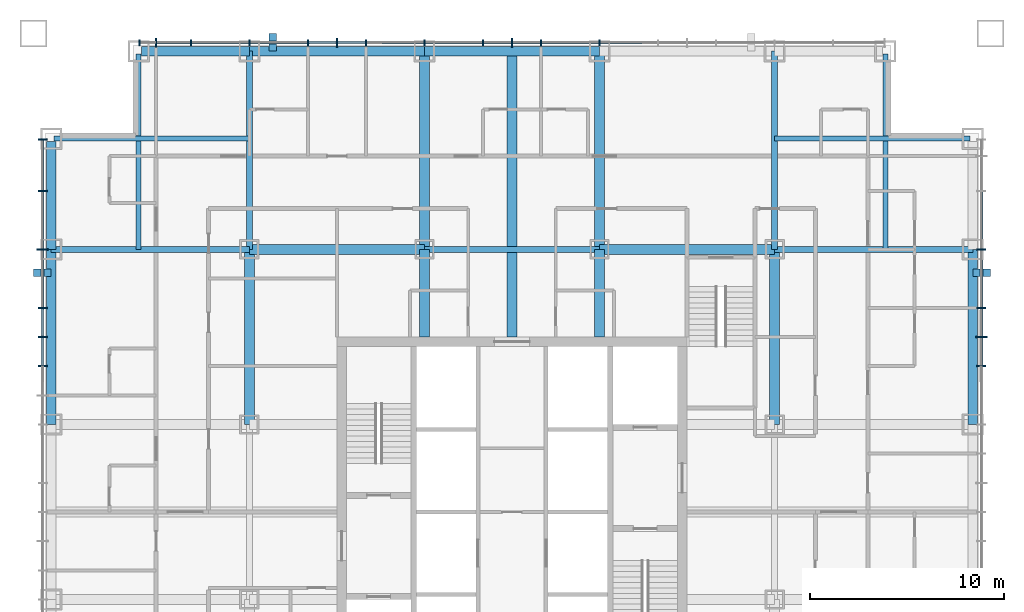
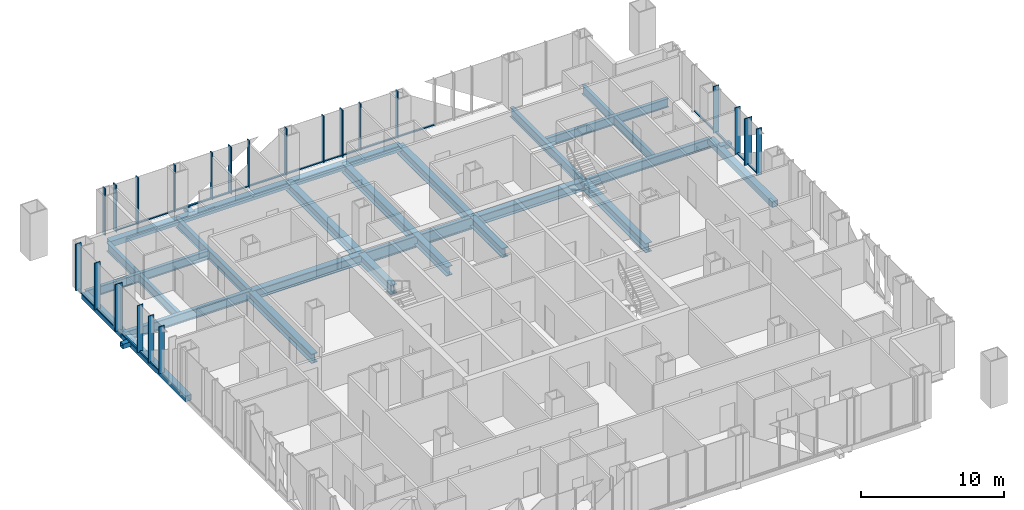
# One storey, part 5 of 14: 45 members, 24 beams, 3 elements without a shape of their own.
"""IFC4 building model written with IfcOpenShell, lengths in metres."""

from ifc_helpers import new_model, si_unit, direction, frame, origin, origin_2d, place, context, subcontext, project, spatial, rectangle, hollow_rectangle, i_section, extrude, material, layer, layer_set, material_profile, profile_set, type_object, element, aggregate, save


model = new_model("IFC4")

# Units and contexts
model_context = context("Model", 3, precision=1e-05, world=origin(), true_north=direction((0.0, 1.0)))
body_context = subcontext(model_context, "Body", "Model", "MODEL_VIEW")
ifc_project = project(units=[si_unit("LENGTHUNIT", "METRE"), si_unit("AREAUNIT", "SQUARE_METRE"), si_unit("VOLUMEUNIT", "CUBIC_METRE"), si_unit("PLANEANGLEUNIT", "RADIAN"), si_unit("MASSUNIT", "GRAM", prefix="KILO")], contexts=[model_context])

# Site, building, storey
site_placement = place(None, origin())
site = spatial("IfcSite", under=ifc_project, at=site_placement, CompositionType="ELEMENT")
building_placement = place(site_placement, origin())
building = spatial("IfcBuilding", under=site, at=building_placement, Name="Malebo Sky Hospital", CompositionType="ELEMENT")
storey_placement = place(building_placement, frame((0.0, 0.0, 148.0)))
storey = spatial("IfcBuildingStorey", under=building, at=storey_placement, Name="L35", CompositionType="ELEMENT", Elevation=148.0)

# Curtain wall, members
ifc_material_1 = material(Name="Anodised aluminium, natural silver", Category="aluminium")
ifc_layer_1 = layer(ifc_material_1, 0.25)
ifc_layer_set_1 = layer_set([ifc_layer_1], Name="WARD CURTAIN WALL NORTH AND SOUTH")
curtain_wall_type_1 = type_object("IfcCurtainWallType", Name="WARD CURTAIN WALL NORTH AND SOUTH", PredefinedType="NOTDEFINED", material=ifc_layer_set_1)
curtain_wall_1_placement = place(storey_placement, origin())
curtain_wall_1 = element("IfcCurtainWall", 1, at=curtain_wall_1_placement, inside=storey, type_object=curtain_wall_type_1, Name="NS curtain wall N", PredefinedType="NOTDEFINED")
ifc_material_profile_1 = material_profile(ifc_material_1, rectangle(XDim=0.14990234375, YDim=0.10009765625, at=origin_2d()), Name="ALUMINIUM TRANSOM 150x100")
ifc_profile_set_1 = profile_set([ifc_material_profile_1], Name="Anodised aluminium, natural silver")
member_type_1 = type_object("IfcMemberType", Name="ALUMINIUM TRANSOM 150x100", PredefinedType="USERDEFINED", material=ifc_profile_set_1)
member_1_placement = place(storey_placement, frame((41.737548828125, 86.135009765625, 0.050048828125), z_axis=(1.0, 0.0, 0.0), x_axis=(0.0, 1.0, 0.0)))
member_1 = element("IfcMember", 2, at=member_1_placement, type_object=member_type_1, Name="Transom 2", ObjectType="TRANSOM", PredefinedType="USERDEFINED", context=body_context, shape_type="SweptSolid", body=[
    extrude(rectangle(XDim=0.14990234375, YDim=0.10009765625, at=origin_2d()), origin(), (0.0, 0.0, 1.0), 1.724853515625),
])
member_2_placement = place(storey_placement, frame((43.53759765625, 86.135009765625, 0.050048828125), z_axis=(1.0, 0.0, 0.0), x_axis=(0.0, 1.0, 0.0)))
member_2 = element("IfcMember", 3, at=member_2_placement, type_object=member_type_1, Name="Transom 3", ObjectType="TRANSOM", PredefinedType="USERDEFINED", context=body_context, shape_type="SweptSolid", body=[
    extrude(rectangle(XDim=0.14990234375, YDim=0.10009765625, at=origin_2d()), origin(), (0.0, 0.0, 1.0), 2.9248046875),
])
member_3_placement = place(storey_placement, frame((46.53759765625, 86.135009765625, 0.050048828125), z_axis=(1.0, 0.0, 0.0), x_axis=(0.0, 1.0, 0.0)))
member_3 = element("IfcMember", 4, at=member_3_placement, type_object=member_type_1, Name="Transom 4", ObjectType="TRANSOM", PredefinedType="USERDEFINED", context=body_context, shape_type="SweptSolid", body=[
    extrude(rectangle(XDim=0.14990234375, YDim=0.10009765625, at=origin_2d()), origin(), (0.0, 0.0, 1.0), 2.9248046875),
])
member_4_placement = place(storey_placement, frame((49.53759765625, 86.135009765625, 0.050048828125), z_axis=(1.0, 0.0, 0.0), x_axis=(0.0, 1.0, 0.0)))
member_4 = element("IfcMember", 5, at=member_4_placement, type_object=member_type_1, Name="Transom 5", ObjectType="TRANSOM", PredefinedType="USERDEFINED", context=body_context, shape_type="SweptSolid", body=[
    extrude(rectangle(XDim=0.14990234375, YDim=0.10009765625, at=origin_2d()), origin(), (0.0, 0.0, 1.0), 1.4248046875),
])
member_5_placement = place(storey_placement, frame((51.03759765625, 86.135009765625, 0.050048828125), z_axis=(1.0, 0.0, 0.0), x_axis=(0.0, 1.0, 0.0)))
member_5 = element("IfcMember", 6, at=member_5_placement, type_object=member_type_1, Name="Transom 6", ObjectType="TRANSOM", PredefinedType="USERDEFINED", context=body_context, shape_type="SweptSolid", body=[
    extrude(rectangle(XDim=0.14990234375, YDim=0.10009765625, at=origin_2d()), origin(), (0.0, 0.0, 1.0), 1.4248046875),
])
member_6_placement = place(storey_placement, frame((52.53759765625, 86.135009765625, 0.050048828125), z_axis=(1.0, 0.0, 0.0), x_axis=(0.0, 1.0, 0.0)))
member_6 = element("IfcMember", 7, at=member_6_placement, type_object=member_type_1, Name="Transom 7", ObjectType="TRANSOM", PredefinedType="USERDEFINED", context=body_context, shape_type="SweptSolid", body=[
    extrude(rectangle(XDim=0.14990234375, YDim=0.10009765625, at=origin_2d()), origin(), (0.0, 0.0, 1.0), 2.9248046875),
])
member_7_placement = place(storey_placement, frame((55.53759765625, 86.135009765625, 0.050048828125), z_axis=(1.0, 0.0, 0.0), x_axis=(0.0, 1.0, 0.0)))
member_7 = element("IfcMember", 8, at=member_7_placement, type_object=member_type_1, Name="Transom 8", ObjectType="TRANSOM", PredefinedType="USERDEFINED", context=body_context, shape_type="SweptSolid", body=[
    extrude(rectangle(XDim=0.14990234375, YDim=0.10009765625, at=origin_2d()), origin(), (0.0, 0.0, 1.0), 2.9248046875),
])
member_8_placement = place(storey_placement, frame((58.53759765625, 86.135009765625, 0.050048828125), z_axis=(1.0, 0.0, 0.0), x_axis=(0.0, 1.0, 0.0)))
member_8 = element("IfcMember", 9, at=member_8_placement, type_object=member_type_1, Name="Transom 9", ObjectType="TRANSOM", PredefinedType="USERDEFINED", context=body_context, shape_type="SweptSolid", body=[
    extrude(rectangle(XDim=0.14990234375, YDim=0.10009765625, at=origin_2d()), origin(), (0.0, 0.0, 1.0), 1.4248046875),
])
member_9_placement = place(storey_placement, frame((60.03759765625, 86.135009765625, 0.050048828125), z_axis=(1.0, 0.0, 0.0), x_axis=(0.0, 1.0, 0.0)))
member_9 = element("IfcMember", 10, at=member_9_placement, type_object=member_type_1, Name="Transom 10", ObjectType="TRANSOM", PredefinedType="USERDEFINED", context=body_context, shape_type="SweptSolid", body=[
    extrude(rectangle(XDim=0.14990234375, YDim=0.10009765625, at=origin_2d()), origin(), (0.0, 0.0, 1.0), 1.4248046875),
])
member_10_placement = place(storey_placement, frame((61.53759765625, 86.135009765625, 0.050048828125), z_axis=(1.0, 0.0, 0.0), x_axis=(0.0, 1.0, 0.0)))
member_10 = element("IfcMember", 11, at=member_10_placement, type_object=member_type_1, Name="Transom 11", ObjectType="TRANSOM", PredefinedType="USERDEFINED", context=body_context, shape_type="SweptSolid", body=[
    extrude(rectangle(XDim=0.14990234375, YDim=0.10009765625, at=origin_2d()), origin(), (0.0, 0.0, 1.0), 2.9248046875),
])
member_11_placement = place(storey_placement, frame((64.53759765625, 86.135009765625, 0.050048828125), z_axis=(1.0, 0.0, 0.0), x_axis=(0.0, 1.0, 0.0)))
member_11 = element("IfcMember", 12, at=member_11_placement, type_object=member_type_1, Name="Transom 12", ObjectType="TRANSOM", PredefinedType="USERDEFINED", context=body_context, shape_type="SweptSolid", body=[
    extrude(rectangle(XDim=0.14990234375, YDim=0.10009765625, at=origin_2d()), origin(), (0.0, 0.0, 1.0), 2.9248046875),
])

ifc_layer_2 = layer(ifc_material_1, 0.25)
ifc_layer_set_2 = layer_set([ifc_layer_2], Name="WARD CURTAIN WALL EAST AND WEST")
curtain_wall_type_2 = type_object("IfcCurtainWallType", Name="WARD CURTAIN WALL EAST AND WEST", PredefinedType="NOTDEFINED", material=ifc_layer_set_2)
curtain_wall_2_placement = place(storey_placement, origin())
curtain_wall_2 = element("IfcCurtainWall", 13, at=curtain_wall_2_placement, inside=storey, type_object=curtain_wall_type_2, Name="EW curtain wall W", PredefinedType="NOTDEFINED")
member_12_placement = place(storey_placement, frame((35.864990234375, 69.53759765625, 0.050048828125), z_axis=(0.0, 1.0, 0.0), x_axis=(-1.0, 0.0, 0.0)))
member_12 = element("IfcMember", 14, at=member_12_placement, type_object=member_type_1, Name="Transom 15", ObjectType="TRANSOM", PredefinedType="USERDEFINED", context=body_context, shape_type="SweptSolid", body=[
    extrude(rectangle(XDim=0.14990234375, YDim=0.10009765625, at=origin_2d()), origin(), (0.0, 0.0, 1.0), 1.4248046875),
])
member_13_placement = place(storey_placement, frame((35.864990234375, 71.03759765625, 0.050048828125), z_axis=(0.0, 1.0, 0.0), x_axis=(-1.0, 0.0, 0.0)))
member_13 = element("IfcMember", 15, at=member_13_placement, type_object=member_type_1, Name="Transom 16", ObjectType="TRANSOM", PredefinedType="USERDEFINED", context=body_context, shape_type="SweptSolid", body=[
    extrude(rectangle(XDim=0.14990234375, YDim=0.10009765625, at=origin_2d()), origin(), (0.0, 0.0, 1.0), 1.4248046875),
])
member_14_placement = place(storey_placement, frame((35.864990234375, 72.53759765625, 0.050048828125), z_axis=(0.0, 1.0, 0.0), x_axis=(-1.0, 0.0, 0.0)))
member_14 = element("IfcMember", 16, at=member_14_placement, type_object=member_type_1, Name="Transom 17", ObjectType="TRANSOM", PredefinedType="USERDEFINED", context=body_context, shape_type="SweptSolid", body=[
    extrude(rectangle(XDim=0.14990234375, YDim=0.10009765625, at=origin_2d()), origin(), (0.0, 0.0, 1.0), 2.9248046875),
])
member_15_placement = place(storey_placement, frame((35.864990234375, 75.53759765625, 0.050048828125), z_axis=(0.0, 1.0, 0.0), x_axis=(-1.0, 0.0, 0.0)))
member_15 = element("IfcMember", 17, at=member_15_placement, type_object=member_type_1, Name="Transom 18", ObjectType="TRANSOM", PredefinedType="USERDEFINED", context=body_context, shape_type="SweptSolid", body=[
    extrude(rectangle(XDim=0.14990234375, YDim=0.10009765625, at=origin_2d()), origin(), (0.0, 0.0, 1.0), 2.9248046875),
])
member_16_placement = place(storey_placement, frame((35.864990234375, 78.53759765625, 0.050048828125), z_axis=(0.0, 1.0, 0.0), x_axis=(-1.0, 0.0, 0.0)))
member_16 = element("IfcMember", 18, at=member_16_placement, type_object=member_type_1, Name="Transom 19", ObjectType="TRANSOM", PredefinedType="USERDEFINED", context=body_context, shape_type="SweptSolid", body=[
    extrude(rectangle(XDim=0.14990234375, YDim=0.10009765625, at=origin_2d()), origin(), (0.0, 0.0, 1.0), 2.58740234375),
])

curtain_wall_3_placement = place(storey_placement, origin())
curtain_wall_3 = element("IfcCurtainWall", 19, at=curtain_wall_3_placement, inside=storey, type_object=curtain_wall_type_2, Name="EW curtain wall E", PredefinedType="NOTDEFINED")
member_17_placement = place(storey_placement, frame((84.135009765625, 78.46240234375, 0.050048828125), z_axis=(0.0, -1.0, 0.0), x_axis=(1.0, 0.0, 0.0)))
member_17 = element("IfcMember", 20, at=member_17_placement, type_object=member_type_1, Name="Transom 3", ObjectType="TRANSOM", PredefinedType="USERDEFINED", context=body_context, shape_type="SweptSolid", body=[
    extrude(rectangle(XDim=0.14990234375, YDim=0.10009765625, at=origin_2d()), origin(), (0.0, 0.0, 1.0), 2.9248046875),
])
member_18_placement = place(storey_placement, frame((84.135009765625, 75.46240234375, 0.050048828125), z_axis=(0.0, -1.0, 0.0), x_axis=(1.0, 0.0, 0.0)))
member_18 = element("IfcMember", 21, at=member_18_placement, type_object=member_type_1, Name="Transom 4", ObjectType="TRANSOM", PredefinedType="USERDEFINED", context=body_context, shape_type="SweptSolid", body=[
    extrude(rectangle(XDim=0.14990234375, YDim=0.10009765625, at=origin_2d()), origin(), (0.0, 0.0, 1.0), 2.9248046875),
])
member_19_placement = place(storey_placement, frame((84.135009765625, 72.46240234375, 0.050048828125), z_axis=(0.0, -1.0, 0.0), x_axis=(1.0, 0.0, 0.0)))
member_19 = element("IfcMember", 22, at=member_19_placement, type_object=member_type_1, Name="Transom 5", ObjectType="TRANSOM", PredefinedType="USERDEFINED", context=body_context, shape_type="SweptSolid", body=[
    extrude(rectangle(XDim=0.14990234375, YDim=0.10009765625, at=origin_2d()), origin(), (0.0, 0.0, 1.0), 1.4248046875),
])
member_20_placement = place(storey_placement, frame((84.135009765625, 70.96240234375, 0.050048828125), z_axis=(0.0, -1.0, 0.0), x_axis=(1.0, 0.0, 0.0)))
member_20 = element("IfcMember", 23, at=member_20_placement, type_object=member_type_1, Name="Transom 6", ObjectType="TRANSOM", PredefinedType="USERDEFINED", context=body_context, shape_type="SweptSolid", body=[
    extrude(rectangle(XDim=0.14990234375, YDim=0.10009765625, at=origin_2d()), origin(), (0.0, 0.0, 1.0), 1.4248046875),
])

# Members
ifc_material_2 = material(Name="Steel S355", Category="steel")
ifc_material_profile_2 = material_profile(ifc_material_2, hollow_rectangle(XDim=0.39990234375, YDim=0.39990234375, WallThickness=0.02001953125, at=origin_2d()), Name="SHS 400x20")
ifc_profile_set_2 = profile_set([ifc_material_profile_2], Name="Steel S355")
member_type_2 = type_object("IfcMemberType", Name="BRACE STRUT SHS 400x20", PredefinedType="STRUT", material=ifc_profile_set_2)
for number, where, z_axis, x_axis, name in (
    (24, (47.699951171875, 86.60009765625, -0.39990234375), (0.0, -1.0, 0.0), (1.0, 0.0, 0.0), "Brace strut BN2 L35"),
    (25, (84.60009765625, 74.300048828125, -0.39990234375), (-1.0, 0.0, 0.0), (0.0, -1.0, 0.0), "Brace strut BE2 L35"),
    (26, (35.39990234375, 74.300048828125, -0.39990234375), (1.0, 0.0, 0.0), (0.0, 1.0, 0.0), "Brace strut BW1 L35"),
):
    element("IfcMember", number, at=place(storey_placement, frame(where, z_axis=z_axis, x_axis=x_axis)), inside=storey, type_object=member_type_2, Name=name, PredefinedType="STRUT", context=body_context, shape_type="SweptSolid", body=[
        extrude(hollow_rectangle(XDim=0.39990234375, YDim=0.39990234375, WallThickness=0.02001953125, at=origin_2d()), origin(), (0.0, 0.0, 1.0), 0.900146484375),
    ])

# Member
ifc_material_profile_3 = material_profile(ifc_material_1, rectangle(XDim=0.074951171875, YDim=0.300048828125, at=origin_2d()), Name="CW1 ALUMINIUM FIN MULLION 75x300")
ifc_profile_set_3 = profile_set([ifc_material_profile_3], Name="Anodised aluminium, natural silver")
member_type_3 = type_object("IfcMemberType", Name="CW1 ALUMINIUM FIN MULLION 75x300", PredefinedType="MULLION", material=ifc_profile_set_3)
member_21_placement = place(storey_placement, frame((40.83740234375, 86.135009765625, 0.0), z_axis=(0.0, 0.0, 1.0), x_axis=(1.0, 0.0, 0.0)))
member_21 = element("IfcMember", 27, at=member_21_placement, type_object=member_type_3, Name="Fin mullion 1", PredefinedType="MULLION", context=body_context, shape_type="SweptSolid", body=[
    extrude(rectangle(XDim=0.074951171875, YDim=0.300048828125, at=origin_2d()), origin(), (0.0, 0.0, 1.0), 4.0),
])

member_22_placement = place(storey_placement, frame((43.5, 86.135009765625, 0.0), z_axis=(0.0, 0.0, 1.0), x_axis=(1.0, 0.0, 0.0)))
member_22 = element("IfcMember", 28, at=member_22_placement, type_object=member_type_3, Name="Fin mullion 3", PredefinedType="MULLION", context=body_context, shape_type="SweptSolid", body=[
    extrude(rectangle(XDim=0.074951171875, YDim=0.300048828125, at=origin_2d()), origin(), (0.0, 0.0, 1.0), 4.0),
])

member_23_placement = place(storey_placement, frame((46.5, 86.135009765625, 0.0), z_axis=(0.0, 0.0, 1.0), x_axis=(1.0, 0.0, 0.0)))
member_23 = element("IfcMember", 29, at=member_23_placement, type_object=member_type_3, Name="Fin mullion 4", PredefinedType="MULLION", context=body_context, shape_type="SweptSolid", body=[
    extrude(rectangle(XDim=0.074951171875, YDim=0.300048828125, at=origin_2d()), origin(), (0.0, 0.0, 1.0), 4.0),
])

member_24_placement = place(storey_placement, frame((49.5, 86.135009765625, 0.0), z_axis=(0.0, 0.0, 1.0), x_axis=(1.0, 0.0, 0.0)))
member_24 = element("IfcMember", 30, at=member_24_placement, type_object=member_type_3, Name="Fin mullion 5", PredefinedType="MULLION", context=body_context, shape_type="SweptSolid", body=[
    extrude(rectangle(XDim=0.074951171875, YDim=0.300048828125, at=origin_2d()), origin(), (0.0, 0.0, 1.0), 4.0),
])

member_25_placement = place(storey_placement, frame((52.5, 86.135009765625, 0.0), z_axis=(0.0, 0.0, 1.0), x_axis=(1.0, 0.0, 0.0)))
member_25 = element("IfcMember", 31, at=member_25_placement, type_object=member_type_3, Name="Fin mullion 7", PredefinedType="MULLION", context=body_context, shape_type="SweptSolid", body=[
    extrude(rectangle(XDim=0.074951171875, YDim=0.300048828125, at=origin_2d()), origin(), (0.0, 0.0, 1.0), 4.0),
])

member_26_placement = place(storey_placement, frame((55.5, 86.135009765625, 0.0), z_axis=(0.0, 0.0, 1.0), x_axis=(1.0, 0.0, 0.0)))
member_26 = element("IfcMember", 32, at=member_26_placement, type_object=member_type_3, Name="Fin mullion 8", PredefinedType="MULLION", context=body_context, shape_type="SweptSolid", body=[
    extrude(rectangle(XDim=0.074951171875, YDim=0.300048828125, at=origin_2d()), origin(), (0.0, 0.0, 1.0), 4.0),
])

member_27_placement = place(storey_placement, frame((58.5, 86.135009765625, 0.0), z_axis=(0.0, 0.0, 1.0), x_axis=(1.0, 0.0, 0.0)))
member_27 = element("IfcMember", 33, at=member_27_placement, type_object=member_type_3, Name="Fin mullion 9", PredefinedType="MULLION", context=body_context, shape_type="SweptSolid", body=[
    extrude(rectangle(XDim=0.074951171875, YDim=0.300048828125, at=origin_2d()), origin(), (0.0, 0.0, 1.0), 4.0),
])

member_28_placement = place(storey_placement, frame((61.5, 86.135009765625, 0.0), z_axis=(0.0, 0.0, 1.0), x_axis=(1.0, 0.0, 0.0)))
member_28 = element("IfcMember", 34, at=member_28_placement, type_object=member_type_3, Name="Fin mullion 11", PredefinedType="MULLION", context=body_context, shape_type="SweptSolid", body=[
    extrude(rectangle(XDim=0.074951171875, YDim=0.300048828125, at=origin_2d()), origin(), (0.0, 0.0, 1.0), 4.0),
])

member_29_placement = place(storey_placement, frame((64.5, 86.135009765625, 0.0), z_axis=(0.0, 0.0, 1.0), x_axis=(1.0, 0.0, 0.0)))
member_29 = element("IfcMember", 35, at=member_29_placement, type_object=member_type_3, Name="Fin mullion 12", PredefinedType="MULLION", context=body_context, shape_type="SweptSolid", body=[
    extrude(rectangle(XDim=0.074951171875, YDim=0.300048828125, at=origin_2d()), origin(), (0.0, 0.0, 1.0), 4.0),
])

ifc_material_profile_4 = material_profile(ifc_material_1, rectangle(XDim=0.074951171875, YDim=0.449951171875, at=origin_2d()), Name="CW1 ALUMINIUM FIN MULLION 75x450")
ifc_profile_set_4 = profile_set([ifc_material_profile_4], Name="Anodised aluminium, natural silver")
member_type_4 = type_object("IfcMemberType", Name="CW1 ALUMINIUM FIN MULLION 75x450", PredefinedType="MULLION", material=ifc_profile_set_4)
member_30_placement = place(storey_placement, frame((41.699951171875, 86.135009765625, 0.0), z_axis=(0.0, 0.0, 1.0), x_axis=(1.0, 0.0, 0.0)))
member_30 = element("IfcMember", 36, at=member_30_placement, type_object=member_type_4, Name="Fin mullion 2", PredefinedType="MULLION", context=body_context, shape_type="SweptSolid", body=[
    extrude(rectangle(XDim=0.074951171875, YDim=0.449951171875, at=origin_2d()), origin(), (0.0, 0.0, 1.0), 4.0),
])

member_31_placement = place(storey_placement, frame((51.0, 86.135009765625, 0.0), z_axis=(0.0, 0.0, 1.0), x_axis=(1.0, 0.0, 0.0)))
member_31 = element("IfcMember", 37, at=member_31_placement, type_object=member_type_4, Name="Fin mullion 6", PredefinedType="MULLION", context=body_context, shape_type="SweptSolid", body=[
    extrude(rectangle(XDim=0.074951171875, YDim=0.449951171875, at=origin_2d()), origin(), (0.0, 0.0, 1.0), 4.0),
])

member_32_placement = place(storey_placement, frame((60.0, 86.135009765625, 0.0), z_axis=(0.0, 0.0, 1.0), x_axis=(1.0, 0.0, 0.0)))
member_32 = element("IfcMember", 38, at=member_32_placement, type_object=member_type_4, Name="Fin mullion 10", PredefinedType="MULLION", context=body_context, shape_type="SweptSolid", body=[
    extrude(rectangle(XDim=0.074951171875, YDim=0.449951171875, at=origin_2d()), origin(), (0.0, 0.0, 1.0), 4.0),
])

aggregate(curtain_wall_1, [member_21, member_30, member_22, member_23, member_24, member_31, member_25, member_26, member_27, member_32, member_28, member_29, member_1, member_2, member_3, member_4, member_5, member_6, member_7, member_8, member_9, member_10, member_11])

ifc_material_profile_5 = material_profile(ifc_material_1, rectangle(XDim=0.074951171875, YDim=0.449951171875, at=origin_2d()), Name="CW2 ALUMINIUM FIN MULLION 75x450")
ifc_profile_set_5 = profile_set([ifc_material_profile_5], Name="Anodised aluminium, natural silver")
member_type_5 = type_object("IfcMemberType", Name="CW2 ALUMINIUM FIN MULLION 75x450", PredefinedType="MULLION", material=ifc_profile_set_5)
member_33_placement = place(storey_placement, frame((35.864990234375, 69.5, 0.0), z_axis=(0.0, 0.0, 1.0), x_axis=(0.0, 1.0, 0.0)))
member_33 = element("IfcMember", 39, at=member_33_placement, type_object=member_type_5, Name="Fin mullion 15", PredefinedType="MULLION", context=body_context, shape_type="SweptSolid", body=[
    extrude(rectangle(XDim=0.074951171875, YDim=0.449951171875, at=origin_2d()), origin(), (0.0, 0.0, 1.0), 4.0),
])

member_34_placement = place(storey_placement, frame((35.864990234375, 71.0, 0.0), z_axis=(0.0, 0.0, 1.0), x_axis=(0.0, 1.0, 0.0)))
member_34 = element("IfcMember", 40, at=member_34_placement, type_object=member_type_5, Name="Fin mullion 16", PredefinedType="MULLION", context=body_context, shape_type="SweptSolid", body=[
    extrude(rectangle(XDim=0.074951171875, YDim=0.449951171875, at=origin_2d()), origin(), (0.0, 0.0, 1.0), 4.0),
])

member_35_placement = place(storey_placement, frame((35.864990234375, 72.5, 0.0), z_axis=(0.0, 0.0, 1.0), x_axis=(0.0, 1.0, 0.0)))
member_35 = element("IfcMember", 41, at=member_35_placement, type_object=member_type_5, Name="Fin mullion 17", PredefinedType="MULLION", context=body_context, shape_type="SweptSolid", body=[
    extrude(rectangle(XDim=0.074951171875, YDim=0.449951171875, at=origin_2d()), origin(), (0.0, 0.0, 1.0), 4.0),
])

member_36_placement = place(storey_placement, frame((35.864990234375, 78.5, 0.0), z_axis=(0.0, 0.0, 1.0), x_axis=(0.0, 1.0, 0.0)))
member_36 = element("IfcMember", 42, at=member_36_placement, type_object=member_type_5, Name="Fin mullion 19", PredefinedType="MULLION", context=body_context, shape_type="SweptSolid", body=[
    extrude(rectangle(XDim=0.074951171875, YDim=0.449951171875, at=origin_2d()), origin(), (0.0, 0.0, 1.0), 4.0),
])

member_37_placement = place(storey_placement, frame((35.864990234375, 81.16259765625, 0.0), z_axis=(0.0, 0.0, 1.0), x_axis=(0.0, 1.0, 0.0)))
member_37 = element("IfcMember", 43, at=member_37_placement, type_object=member_type_5, Name="Fin mullion 20", PredefinedType="MULLION", context=body_context, shape_type="SweptSolid", body=[
    extrude(rectangle(XDim=0.074951171875, YDim=0.449951171875, at=origin_2d()), origin(), (0.0, 0.0, 1.0), 4.0),
])

member_38_placement = place(storey_placement, frame((84.135009765625, 75.5, 0.0), z_axis=(0.0, 0.0, 1.0), x_axis=(0.0, -1.0, 0.0)))
member_38 = element("IfcMember", 44, at=member_38_placement, type_object=member_type_5, Name="Fin mullion 4", PredefinedType="MULLION", context=body_context, shape_type="SweptSolid", body=[
    extrude(rectangle(XDim=0.074951171875, YDim=0.449951171875, at=origin_2d()), origin(), (0.0, 0.0, 1.0), 4.0),
])

member_39_placement = place(storey_placement, frame((84.135009765625, 72.5, 0.0), z_axis=(0.0, 0.0, 1.0), x_axis=(0.0, -1.0, 0.0)))
member_39 = element("IfcMember", 45, at=member_39_placement, type_object=member_type_5, Name="Fin mullion 5", PredefinedType="MULLION", context=body_context, shape_type="SweptSolid", body=[
    extrude(rectangle(XDim=0.074951171875, YDim=0.449951171875, at=origin_2d()), origin(), (0.0, 0.0, 1.0), 4.0),
])

member_40_placement = place(storey_placement, frame((84.135009765625, 69.5, 0.0), z_axis=(0.0, 0.0, 1.0), x_axis=(0.0, -1.0, 0.0)))
member_40 = element("IfcMember", 46, at=member_40_placement, type_object=member_type_5, Name="Fin mullion 7", PredefinedType="MULLION", context=body_context, shape_type="SweptSolid", body=[
    extrude(rectangle(XDim=0.074951171875, YDim=0.449951171875, at=origin_2d()), origin(), (0.0, 0.0, 1.0), 4.0),
])

ifc_material_profile_6 = material_profile(ifc_material_1, rectangle(XDim=0.074951171875, YDim=0.60009765625, at=origin_2d()), Name="CW2 ALUMINIUM FIN MULLION 75x600")
ifc_profile_set_6 = profile_set([ifc_material_profile_6], Name="Anodised aluminium, natural silver")
member_type_6 = type_object("IfcMemberType", Name="CW2 ALUMINIUM FIN MULLION 75x600", PredefinedType="MULLION", material=ifc_profile_set_6)
member_41_placement = place(storey_placement, frame((35.864990234375, 75.5, 0.0), z_axis=(0.0, 0.0, 1.0), x_axis=(0.0, 1.0, 0.0)))
member_41 = element("IfcMember", 47, at=member_41_placement, type_object=member_type_6, Name="Fin mullion 18", PredefinedType="MULLION", context=body_context, shape_type="SweptSolid", body=[
    extrude(rectangle(XDim=0.074951171875, YDim=0.60009765625, at=origin_2d()), origin(), (0.0, 0.0, 1.0), 4.0),
])

aggregate(curtain_wall_2, [member_33, member_34, member_35, member_41, member_36, member_37, member_12, member_13, member_14, member_15, member_16])

member_42_placement = place(storey_placement, frame((84.135009765625, 71.0, 0.0), z_axis=(0.0, 0.0, 1.0), x_axis=(0.0, -1.0, 0.0)))
member_42 = element("IfcMember", 48, at=member_42_placement, type_object=member_type_6, Name="Fin mullion 6", PredefinedType="MULLION", context=body_context, shape_type="SweptSolid", body=[
    extrude(rectangle(XDim=0.074951171875, YDim=0.60009765625, at=origin_2d()), origin(), (0.0, 0.0, 1.0), 4.0),
])

aggregate(curtain_wall_3, [member_38, member_39, member_42, member_40, member_17, member_18, member_19, member_20])

# Beams
ifc_material_3 = material(Name="Steel S460", Category="steel")
ifc_material_profile_7 = material_profile(ifc_material_3, hollow_rectangle(XDim=0.5, YDim=0.5, WallThickness=0.030029296875, at=origin_2d()), Name="BOX 500x500x30")
ifc_profile_set_7 = profile_set([ifc_material_profile_7], Name="Steel S460")
beam_type_1 = type_object("IfcBeamType", Name="EDGE BEAM BOX 500x500x30", PredefinedType="BEAM", material=ifc_profile_set_7)
beam_1_placement = place(storey_placement, frame((36.300048828125, 66.5, -0.5), z_axis=(0.0, 1.0, 0.0), x_axis=(-1.0, 0.0, 0.0)))
element("IfcBeam", 49, at=beam_1_placement, inside=storey, type_object=beam_type_1, Name="Beam 003 L35", PredefinedType="BEAM", context=body_context, shape_type="SweptSolid", body=[
    extrude(hollow_rectangle(XDim=0.5, YDim=0.5, WallThickness=0.030029296875, at=origin_2d()), origin(), (0.0, 0.0, 1.0), 9.0),
])
beam_2_placement = place(storey_placement, frame((36.300048828125, 75.5, -0.5), z_axis=(0.0, 1.0, 0.0), x_axis=(-1.0, 0.0, 0.0)))
element("IfcBeam", 50, at=beam_2_placement, inside=storey, type_object=beam_type_1, Name="Beam 004 L35", PredefinedType="BEAM", context=body_context, shape_type="SweptSolid", body=[
    extrude(hollow_rectangle(XDim=0.5, YDim=0.5, WallThickness=0.030029296875, at=origin_2d()), origin(), (0.0, 0.0, 1.0), 5.550048828125),
])
beam_3_placement = place(storey_placement, frame((83.699951171875, 66.5, -0.5), z_axis=(0.0, 1.0, 0.0), x_axis=(-1.0, 0.0, 0.0)))
element("IfcBeam", 51, at=beam_3_placement, inside=storey, type_object=beam_type_1, Name="Beam 032 L35", PredefinedType="BEAM", context=body_context, shape_type="SweptSolid", body=[
    extrude(hollow_rectangle(XDim=0.5, YDim=0.5, WallThickness=0.030029296875, at=origin_2d()), origin(), (0.0, 0.0, 1.0), 9.0),
])
beam_4_placement = place(storey_placement, frame((40.949951171875, 85.699951171875, -0.5), z_axis=(1.0, 0.0, 0.0), x_axis=(0.0, 1.0, 0.0)))
element("IfcBeam", 52, at=beam_4_placement, inside=storey, type_object=beam_type_1, Name="Beam 063 L35", PredefinedType="BEAM", context=body_context, shape_type="SweptSolid", body=[
    extrude(hollow_rectangle(XDim=0.5, YDim=0.5, WallThickness=0.030029296875, at=origin_2d()), origin(), (0.0, 0.0, 1.0), 5.550048828125),
])
for number, where, z_axis, x_axis, name in (
    (53, (46.5, 85.699951171875, -0.5), (1.0, 0.0, 0.0), (0.0, 1.0, 0.0), "Beam 064 L35"),
    (54, (55.5, 85.699951171875, -0.5), (1.0, 0.0, 0.0), (0.0, 1.0, 0.0), "Beam 065 L35"),
):
    element("IfcBeam", number, at=place(storey_placement, frame(where, z_axis=z_axis, x_axis=x_axis)), inside=storey, type_object=beam_type_1, Name=name, PredefinedType="BEAM", context=body_context, shape_type="SweptSolid", body=[
        extrude(hollow_rectangle(XDim=0.5, YDim=0.5, WallThickness=0.030029296875, at=origin_2d()), origin(), (0.0, 0.0, 1.0), 9.0),
    ])
ifc_material_profile_8 = material_profile(ifc_material_2, i_section(OverallWidth=0.262939453125, OverallDepth=0.7529296875, WebThickness=0.011474609375, FlangeThickness=0.01708984375, FilletRadius=0.01708984375, at=origin_2d()), Name="IPE 750x137")
ifc_profile_set_8 = profile_set([ifc_material_profile_8], Name="Steel S355")
beam_type_2 = type_object("IfcBeamType", Name="FLOOR BEAM IPE 750x137", PredefinedType="BEAM", material=ifc_profile_set_8)
for number, where, z_axis, x_axis, name in (
    (55, (40.800048828125, 75.5, -0.62646484375), (0.0, 1.0, 0.0), (-1.0, 0.0, 0.0), "Beam 006 L35"),
    (56, (79.199951171875, 75.5, -0.62646484375), (0.0, 1.0, 0.0), (-1.0, 0.0, 0.0), "Beam 028 L35"),
    (57, (36.449951171875, 81.199951171875, -0.62646484375), (1.0, 0.0, 0.0), (0.0, 1.0, 0.0), "Beam 061 L35"),
    (58, (73.5, 81.199951171875, -0.62646484375), (1.0, 0.0, 0.0), (0.0, 1.0, 0.0), "Beam 062 L35"),
):
    element("IfcBeam", number, at=place(storey_placement, frame(where, z_axis=z_axis, x_axis=x_axis)), inside=storey, type_object=beam_type_2, Name=name, PredefinedType="BEAM", context=body_context, shape_type="SweptSolid", body=[
        extrude(i_section(OverallWidth=0.262939453125, OverallDepth=0.7529296875, WebThickness=0.011474609375, FlangeThickness=0.01708984375, FilletRadius=0.01708984375, at=origin_2d()), origin(), (0.0, 0.0, 1.0), 10.050048828125),
    ])
ifc_material_profile_9 = material_profile(ifc_material_2, i_section(OverallWidth=0.5, OverallDepth=0.800048828125, WebThickness=0.030029296875, FlangeThickness=0.050048828125, at=origin_2d()), Name="PG 800x500x30x50")
ifc_profile_set_9 = profile_set([ifc_material_profile_9], Name="Steel S355")
beam_type_3 = type_object("IfcBeamType", Name="FLOOR BEAM PG 800x500x30x50", PredefinedType="BEAM", material=ifc_profile_set_9)
beam_5_placement = place(storey_placement, frame((46.5, 66.5, -0.64990234375), z_axis=(0.0, 1.0, 0.0), x_axis=(-1.0, 0.0, 0.0)))
element("IfcBeam", 59, at=beam_5_placement, inside=storey, type_object=beam_type_3, Name="Beam 010 L35", PredefinedType="BEAM", context=body_context, shape_type="SweptSolid", body=[
    extrude(i_section(OverallWidth=0.5, OverallDepth=0.800048828125, WebThickness=0.030029296875, FlangeThickness=0.050048828125, at=origin_2d()), origin(), (0.0, 0.0, 1.0), 9.0),
])
beam_6_placement = place(storey_placement, frame((55.5, 71.0, -0.64990234375), z_axis=(0.0, 1.0, 0.0), x_axis=(-1.0, 0.0, 0.0)))
element("IfcBeam", 60, at=beam_6_placement, inside=storey, type_object=beam_type_3, Name="Beam 014 L35", PredefinedType="BEAM", context=body_context, shape_type="SweptSolid", body=[
    extrude(i_section(OverallWidth=0.5, OverallDepth=0.800048828125, WebThickness=0.030029296875, FlangeThickness=0.050048828125, at=origin_2d()), origin(), (0.0, 0.0, 1.0), 4.5),
])
beam_7_placement = place(storey_placement, frame((55.5, 75.5, -0.64990234375), z_axis=(0.0, 1.0, 0.0), x_axis=(-1.0, 0.0, 0.0)))
element("IfcBeam", 61, at=beam_7_placement, inside=storey, type_object=beam_type_3, Name="Beam 015 L35", PredefinedType="BEAM", context=body_context, shape_type="SweptSolid", body=[
    extrude(i_section(OverallWidth=0.5, OverallDepth=0.800048828125, WebThickness=0.030029296875, FlangeThickness=0.050048828125, at=origin_2d()), origin(), (0.0, 0.0, 1.0), 10.199951171875),
])
beam_8_placement = place(storey_placement, frame((60.0, 71.0, -0.64990234375), z_axis=(0.0, 1.0, 0.0), x_axis=(-1.0, 0.0, 0.0)))
element("IfcBeam", 62, at=beam_8_placement, inside=storey, type_object=beam_type_3, Name="Beam 017 L35", PredefinedType="BEAM", context=body_context, shape_type="SweptSolid", body=[
    extrude(i_section(OverallWidth=0.5, OverallDepth=0.800048828125, WebThickness=0.030029296875, FlangeThickness=0.050048828125, at=origin_2d()), origin(), (0.0, 0.0, 1.0), 14.699951171875),
])
beam_9_placement = place(storey_placement, frame((64.5, 71.0, -0.64990234375), z_axis=(0.0, 1.0, 0.0), x_axis=(-1.0, 0.0, 0.0)))
element("IfcBeam", 63, at=beam_9_placement, inside=storey, type_object=beam_type_3, Name="Beam 020 L35", PredefinedType="BEAM", context=body_context, shape_type="SweptSolid", body=[
    extrude(i_section(OverallWidth=0.5, OverallDepth=0.800048828125, WebThickness=0.030029296875, FlangeThickness=0.050048828125, at=origin_2d()), origin(), (0.0, 0.0, 1.0), 4.5),
])
beam_10_placement = place(storey_placement, frame((64.5, 75.5, -0.64990234375), z_axis=(0.0, 1.0, 0.0), x_axis=(-1.0, 0.0, 0.0)))
element("IfcBeam", 64, at=beam_10_placement, inside=storey, type_object=beam_type_3, Name="Beam 021 L35", PredefinedType="BEAM", context=body_context, shape_type="SweptSolid", body=[
    extrude(i_section(OverallWidth=0.5, OverallDepth=0.800048828125, WebThickness=0.030029296875, FlangeThickness=0.050048828125, at=origin_2d()), origin(), (0.0, 0.0, 1.0), 10.199951171875),
])
for number, where, z_axis, x_axis, name in (
    (65, (73.5, 66.5, -0.64990234375), (0.0, 1.0, 0.0), (-1.0, 0.0, 0.0), "Beam 025 L35"),
    (66, (46.5, 75.5, -0.64990234375), (1.0, 0.0, 0.0), (0.0, 1.0, 0.0), "Beam 057 L35"),
    (67, (64.5, 75.5, -0.64990234375), (1.0, 0.0, 0.0), (0.0, 1.0, 0.0), "Beam 059 L35"),
):
    element("IfcBeam", number, at=place(storey_placement, frame(where, z_axis=z_axis, x_axis=x_axis)), inside=storey, type_object=beam_type_3, Name=name, PredefinedType="BEAM", context=body_context, shape_type="SweptSolid", body=[
        extrude(i_section(OverallWidth=0.5, OverallDepth=0.800048828125, WebThickness=0.030029296875, FlangeThickness=0.050048828125, at=origin_2d()), origin(), (0.0, 0.0, 1.0), 9.0),
    ])
ifc_material_profile_10 = material_profile(ifc_material_2, i_section(OverallWidth=0.300048828125, OverallDepth=0.800048828125, WebThickness=0.017578125, FlangeThickness=0.032958984375, FilletRadius=0.030029296875, at=origin_2d()), Name="HEB 800")
ifc_profile_set_10 = profile_set([ifc_material_profile_10], Name="Steel S355")
beam_type_4 = type_object("IfcBeamType", Name="FLOOR GIRDER HEB 800", PredefinedType="BEAM", material=ifc_profile_set_10)
for number, where, z_axis, x_axis, name in (
    (68, (46.5, 75.5, -0.64990234375), (0.0, 1.0, 0.0), (-1.0, 0.0, 0.0), "Beam 011 L35"),
    (69, (73.5, 75.5, -0.64990234375), (0.0, 1.0, 0.0), (-1.0, 0.0, 0.0), "Beam 026 L35"),
    (70, (36.300048828125, 75.5, -0.64990234375), (1.0, 0.0, 0.0), (0.0, 1.0, 0.0), "Beam 056 L35"),
    (71, (73.5, 75.5, -0.64990234375), (1.0, 0.0, 0.0), (0.0, 1.0, 0.0), "Beam 060 L35"),
):
    element("IfcBeam", number, at=place(storey_placement, frame(where, z_axis=z_axis, x_axis=x_axis)), inside=storey, type_object=beam_type_4, Name=name, PredefinedType="BEAM", context=body_context, shape_type="SweptSolid", body=[
        extrude(i_section(OverallWidth=0.300048828125, OverallDepth=0.800048828125, WebThickness=0.017578125, FlangeThickness=0.032958984375, FilletRadius=0.030029296875, at=origin_2d()), origin(), (0.0, 0.0, 1.0), 10.199951171875),
    ])
ifc_material_profile_11 = material_profile(ifc_material_2, i_section(OverallWidth=0.300048828125, OverallDepth=1.0, WebThickness=0.01904296875, FlangeThickness=0.035888671875, FilletRadius=0.030029296875, at=origin_2d()), Name="HEB 1000")
ifc_profile_set_11 = profile_set([ifc_material_profile_11], Name="Steel S355")
beam_type_5 = type_object("IfcBeamType", Name="RING GIRDER HEB 1000", PredefinedType="BEAM", material=ifc_profile_set_11)
beam_11_placement = place(storey_placement, frame((55.5, 75.5, -0.75), z_axis=(1.0, 0.0, 0.0), x_axis=(0.0, 1.0, 0.0)))
element("IfcBeam", 72, at=beam_11_placement, inside=storey, type_object=beam_type_5, Name="Beam 058 L35", PredefinedType="BEAM", context=body_context, shape_type="SweptSolid", body=[
    extrude(i_section(OverallWidth=0.300048828125, OverallDepth=1.0, WebThickness=0.01904296875, FlangeThickness=0.035888671875, FilletRadius=0.030029296875, at=origin_2d()), origin(), (0.0, 0.0, 1.0), 9.0),
])

save(model, "model.ifc")
